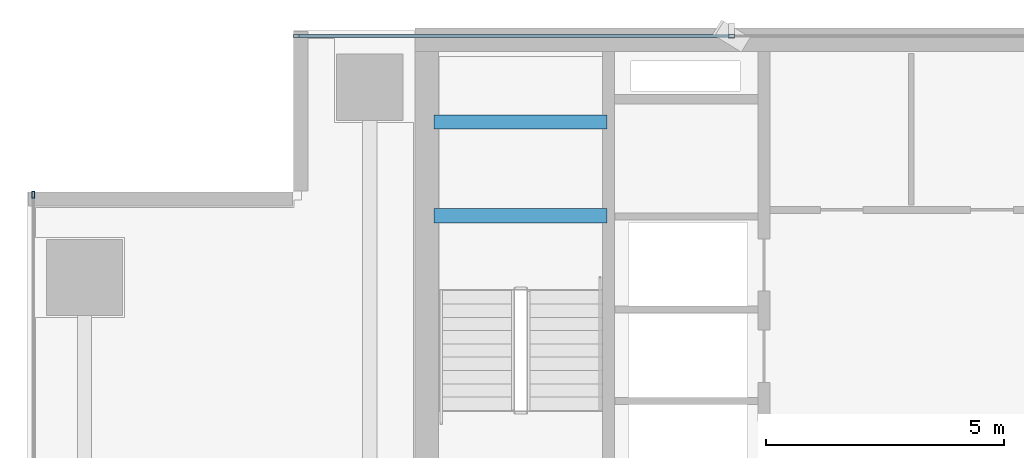
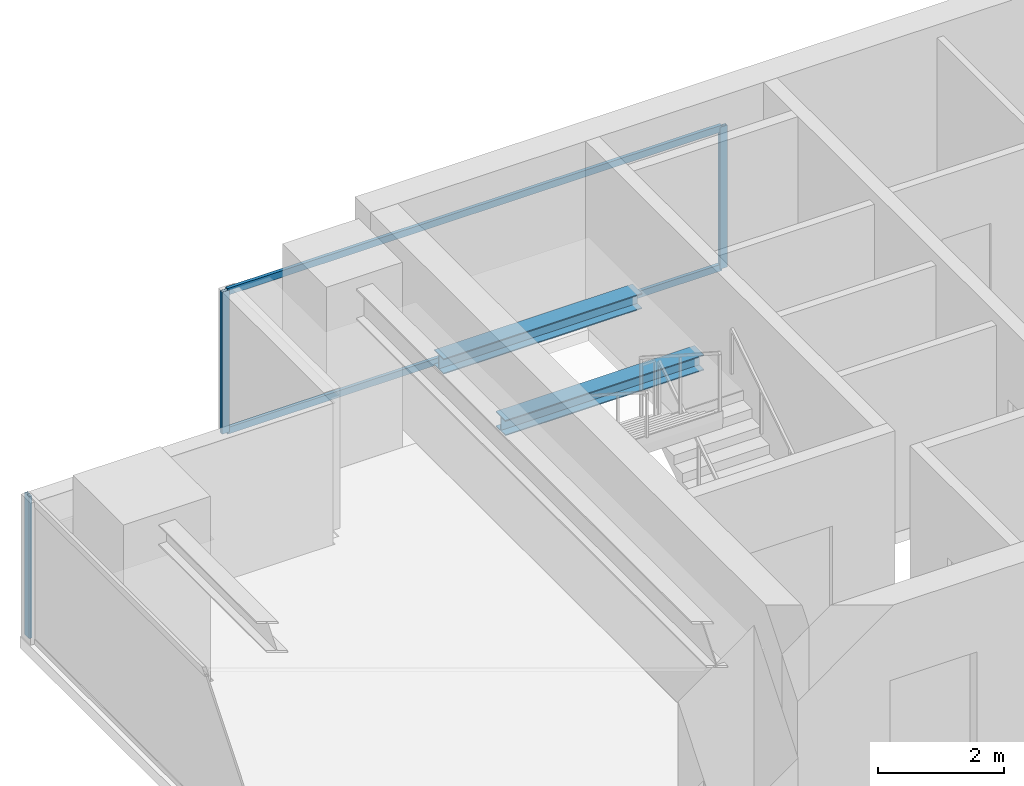
# One storey, part 19 of 29: 5 members, 2 beams, 2 elements without a shape of their own.
"""IFC4 building model written with IfcOpenShell, lengths in metres."""

from ifc_helpers import new_model, si_unit, direction, frame, origin, origin_2d, place, context, subcontext, project, spatial, hollow_rectangle, i_section, extrude, source, transform, mapped, material, layer, layer_set, material_profile, profile_set, type_object, element, aggregate, save


model = new_model("IFC4")

# Units and contexts
model_context = context("Model", 3, precision=1e-05, world=origin(), true_north=direction((0.0, 1.0)))
body_context = subcontext(model_context, "Body", "Model", "MODEL_VIEW")
ifc_project = project(units=[si_unit("LENGTHUNIT", "METRE"), si_unit("AREAUNIT", "SQUARE_METRE"), si_unit("VOLUMEUNIT", "CUBIC_METRE"), si_unit("PLANEANGLEUNIT", "RADIAN"), si_unit("MASSUNIT", "GRAM", prefix="KILO")], contexts=[model_context])

# Site, building, storey
site_placement = place(None, origin())
site = spatial("IfcSite", under=ifc_project, at=site_placement, CompositionType="ELEMENT")
building_placement = place(site_placement, origin())
building = spatial("IfcBuilding", under=site, at=building_placement, Name="Sumidabori Civic Tower", CompositionType="ELEMENT")
storey_placement = place(building_placement, frame((0.0, 0.0, 207.199951171875)))
storey = spatial("IfcBuildingStorey", under=building, at=storey_placement, Name="L53", CompositionType="ELEMENT", Elevation=207.199951171875)

# Beams
ifc_material_1 = material(Name="Steel SN490", Category="steel")
ifc_material_profile_1 = material_profile(ifc_material_1, i_section(OverallWidth=0.300048828125, OverallDepth=0.300048828125, WebThickness=0.010986328125, FlangeThickness=0.01904296875, at=origin_2d()), Name="HE 300 B")
ifc_profile_set_1 = profile_set([ifc_material_profile_1], Name="Steel SN490")
beam_type = type_object("IfcBeamType", Name="BM-LDG-300", PredefinedType="BEAM", material=ifc_profile_set_1)
shared_shape_1 = source(origin(), body_context, "Body", "SweptSolid", [
    extrude(i_section(OverallWidth=0.300048828125, OverallDepth=0.300048828125, WebThickness=0.010986328125, FlangeThickness=0.01904296875, at=origin_2d()), origin(), (0.0, 0.0, 1.0), 3.64990234375),
])
for number, where, z_axis, x_axis, name in (
    (1, (-15.449951171875, 20.09765625, 1.449951171875), (1.0, 0.0, 0.0), (0.0, 1.0, 0.0), "Stair ST-1 Landing Support Beam L53-1A"),
    (2, (-15.449951171875, 22.069580078125, 1.449951171875), (1.0, 0.0, 0.0), (0.0, 1.0, 0.0), "Stair ST-1 Landing Trimmer Beam L53-1B"),
):
    element("IfcBeam", number, at=place(storey_placement, frame(where, z_axis=z_axis, x_axis=x_axis)), inside=storey, type_object=beam_type, Name=name, PredefinedType="BEAM", context=body_context, shape_type="MappedRepresentation", body=[
        mapped(shared_shape_1, transform((0.0, 0.0, 0.0), x_axis=(1.0, 0.0, 0.0), y_axis=(0.0, 1.0, 0.0), z_axis=(0.0, 0.0, 1.0), scale=1.0)),
    ])

# Curtain wall, members
ifc_material_2 = material(Name="Anodised Bronze Aluminium AW-6063-T6", Category="aluminium")
ifc_layer = layer(ifc_material_2, 0.179931640625, Name="Anodised Bronze Aluminium AW-6063-T6")
ifc_layer_set = layer_set([ifc_layer], Name="Anodised Bronze Aluminium AW-6063-T6")
curtain_wall_type = type_object("IfcCurtainWallType", Name="CW-SYS-5", PredefinedType="NOTDEFINED", material=ifc_layer_set)
curtain_wall_1_placement = place(storey_placement, origin())
curtain_wall_1 = element("IfcCurtainWall", 3, at=curtain_wall_1_placement, inside=storey, type_object=curtain_wall_type, Name="Curtain Wall CW:L53:R13", PredefinedType="NOTDEFINED")
ifc_material_profile_2 = material_profile(ifc_material_2, hollow_rectangle(XDim=0.06005859375, YDim=0.139892578125, WallThickness=0.0048828125, at=origin_2d()), Name="ALU MULLION 140x60")
ifc_profile_set_2 = profile_set([ifc_material_profile_2], Name="Anodised Bronze Aluminium AW-6063-T6")
member_type_1 = type_object("IfcMemberType", Name="CW-MUL-140", PredefinedType="MULLION", material=ifc_profile_set_2)
shared_shape_2 = source(origin(), body_context, "Body", "SweptSolid", [
    extrude(hollow_rectangle(XDim=0.06005859375, YDim=0.139892578125, WallThickness=0.0048828125, at=origin_2d()), origin(), (0.0, 0.0, 1.0), 2.760009765625),
])
member_1_placement = place(storey_placement, frame((-9.18505859375, 23.8798828125, 0.0), z_axis=(0.0, 0.0, 1.0), x_axis=(0.0, -1.0, 0.0)))
member_1 = element("IfcMember", 4, at=member_1_placement, type_object=member_type_1, Name="CW-5 mullion 4", PredefinedType="MULLION", context=body_context, shape_type="MappedRepresentation", body=[
    mapped(shared_shape_2, transform((0.0, 0.0, 0.0), x_axis=(1.0, 0.0, 0.0), y_axis=(0.0, 1.0, 0.0), z_axis=(0.0, 0.0, 1.0), scale=1.0)),
])
member_2_placement = place(storey_placement, frame((-18.340087890625, 23.8798828125, 0.0), z_axis=(0.0, 0.0, 1.0), x_axis=(0.0, -1.0, 0.0)))
member_2 = element("IfcMember", 5, at=member_2_placement, type_object=member_type_1, Name="CW-5 mullion 5", PredefinedType="MULLION", context=body_context, shape_type="MappedRepresentation", body=[
    mapped(shared_shape_2, transform((0.0, 0.0, 0.0), x_axis=(1.0, 0.0, 0.0), y_axis=(0.0, 1.0, 0.0), z_axis=(0.0, 0.0, 1.0), scale=1.0)),
])

# Curtain wall, member
curtain_wall_2_placement = place(storey_placement, origin())
curtain_wall_2 = element("IfcCurtainWall", 6, at=curtain_wall_2_placement, inside=storey, type_object=curtain_wall_type, Name="Curtain Wall CW:L53:R16", PredefinedType="NOTDEFINED")
member_3_placement = place(storey_placement, frame((-23.8798828125, 20.5400390625, 0.0), z_axis=(0.0, 0.0, 1.0), x_axis=(1.0, 0.0, 0.0)))
member_3 = element("IfcMember", 7, at=member_3_placement, type_object=member_type_1, Name="CW-5 mullion 1", PredefinedType="MULLION", context=body_context, shape_type="MappedRepresentation", body=[
    mapped(shared_shape_2, transform((0.0, 0.0, 0.0), x_axis=(1.0, 0.0, 0.0), y_axis=(0.0, 1.0, 0.0), z_axis=(0.0, 0.0, 1.0), scale=1.0)),
])
aggregate(curtain_wall_2, [member_3])

# Member
ifc_material_profile_3 = material_profile(ifc_material_2, hollow_rectangle(XDim=0.06005859375, YDim=0.1298828125, WallThickness=0.0048828125, at=origin_2d()), Name="ALU TRANSOM 130x60")
ifc_profile_set_3 = profile_set([ifc_material_profile_3], Name="Anodised Bronze Aluminium AW-6063-T6")
member_type_2 = type_object("IfcMemberType", Name="CW-TRN-130", PredefinedType="USERDEFINED", material=ifc_profile_set_3)
shared_shape_3 = source(origin(), body_context, "Body", "SweptSolid", [
    extrude(hollow_rectangle(XDim=0.06005859375, YDim=0.1298828125, WallThickness=0.0048828125, at=origin_2d()), origin(), (0.0, 0.0, 1.0), 9.094970703125),
])
member_4_placement = place(storey_placement, frame((-9.215087890625, 23.8798828125, 0.030029296875), z_axis=(-1.0, 0.0, 0.0), x_axis=(0.0, -1.0, 0.0)))
member_4 = element("IfcMember", 8, at=member_4_placement, type_object=member_type_2, Name="CW-5 transom 4.1", ObjectType="TRANSOM", PredefinedType="USERDEFINED", context=body_context, shape_type="MappedRepresentation", body=[
    mapped(shared_shape_3, transform((0.0, 0.0, 0.0), x_axis=(1.0, 0.0, 0.0), y_axis=(0.0, 1.0, 0.0), z_axis=(0.0, 0.0, 1.0), scale=1.0)),
])

member_5_placement = place(storey_placement, frame((-9.215087890625, 23.8798828125, 2.72998046875), z_axis=(-1.0, 0.0, 0.0), x_axis=(0.0, -1.0, 0.0)))
member_5 = element("IfcMember", 9, at=member_5_placement, type_object=member_type_2, Name="CW-5 transom 4.2", ObjectType="TRANSOM", PredefinedType="USERDEFINED", context=body_context, shape_type="MappedRepresentation", body=[
    mapped(shared_shape_3, transform((0.0, 0.0, 0.0), x_axis=(1.0, 0.0, 0.0), y_axis=(0.0, 1.0, 0.0), z_axis=(0.0, 0.0, 1.0), scale=1.0)),
])

aggregate(curtain_wall_1, [member_1, member_2, member_4, member_5])

save(model, "model.ifc")
